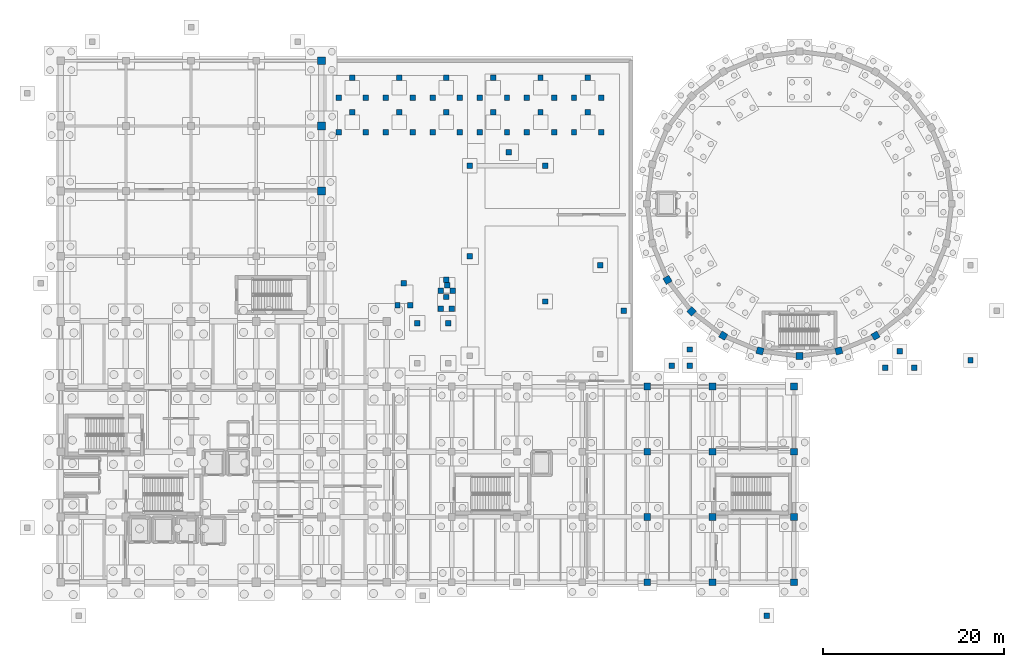
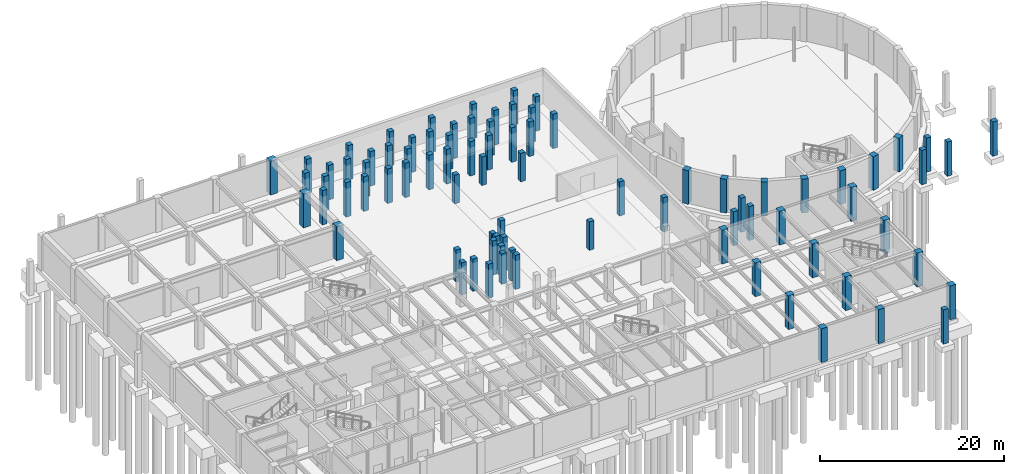
# One storey, part 7 of 26: 85 columns.
"""IFC4 building model written with IfcOpenShell, lengths in metres."""

from ifc_helpers import new_model, si_unit, direction, frame, origin, origin_2d, place, context, subcontext, project, spatial, rectangle, extrude, material, material_profile, profile_set, type_object, element, save


model = new_model("IFC4")

# Units and contexts
model_context = context("Model", 3, precision=1e-05, world=origin(), true_north=direction((0.0, 1.0)))
body_context = subcontext(model_context, "Body", "Model", "MODEL_VIEW")
ifc_project = project(units=[si_unit("LENGTHUNIT", "METRE"), si_unit("AREAUNIT", "SQUARE_METRE"), si_unit("VOLUMEUNIT", "CUBIC_METRE"), si_unit("PLANEANGLEUNIT", "RADIAN"), si_unit("MASSUNIT", "GRAM", prefix="KILO")], contexts=[model_context])

# Site, building, storey
site_placement = place(None, origin())
site = spatial("IfcSite", under=ifc_project, at=site_placement, CompositionType="ELEMENT")
building_placement = place(site_placement, origin())
building = spatial("IfcBuilding", under=site, at=building_placement, Name="Kandorven Conservatory and Botanical Research Centre", CompositionType="ELEMENT")
storey_placement = place(building_placement, frame((0.0, 0.0, -4.800048828125)))
storey = spatial("IfcBuildingStorey", under=building, at=storey_placement, Name="B01", CompositionType="ELEMENT", Elevation=-4.800048828125)

# Columns
ifc_material_1 = material(Name="Concrete C40/50 (M50)", Category="concrete")
ifc_material_profile_1 = material_profile(ifc_material_1, rectangle(XDim=0.75, YDim=0.75, at=origin_2d()))
ifc_profile_set_1 = profile_set([ifc_material_profile_1], Name="Concrete C40/50 (M50)")
column_type_1 = type_object("IfcColumnType", Name="Col_DC-01", PredefinedType="COLUMN", material=ifc_profile_set_1)
for number, where, z_axis, x_axis, name in (
    (1, (73.029052734375, 39.387451171875, 0.0), (0.0, 0.0, 1.0), (-0.866025403784, -0.5, 0.0), "Conservatory drum radial pier DC-01 B01 R15"),
    (2, (75.702880859375, 35.90283203125, 0.0), (0.0, 0.0, 1.0), (-0.707106781187, -0.707106781187, 0.0), "Conservatory drum radial pier DC-01 B01 R16"),
    (3, (79.1875, 33.22900390625, 0.0), (0.0, 0.0, 1.0), (-0.5, -0.866025403784, 0.0), "Conservatory drum radial pier DC-01 B01 R17"),
    (4, (83.245361328125, 31.54833984375, 0.0), (0.0, 0.0, 1.0), (-0.258819045103, -0.965925826289, 0.0), "Conservatory drum radial pier DC-01 B01 R18"),
    (5, (87.60009765625, 30.97509765625, 0.0), (0.0, 0.0, 1.0), (0.0, -1.0, 0.0), "Conservatory drum radial pier DC-01 B01 R19"),
    (6, (91.95458984375, 31.54833984375, 0.0), (0.0, 0.0, 1.0), (0.258819045103, -0.965925826289, 0.0), "Conservatory drum radial pier DC-01 B01 R20"),
    (7, (96.012451171875, 33.22900390625, 0.0), (0.0, 0.0, 1.0), (0.5, -0.866025403784, 0.0), "Conservatory drum radial pier DC-01 B01 R21"),
):
    element("IfcColumn", number, at=place(storey_placement, frame(where, z_axis=z_axis, x_axis=x_axis)), inside=storey, type_object=column_type_1, Name=name, PredefinedType="COLUMN", context=body_context, shape_type="SweptSolid", body=[
        extrude(rectangle(XDim=0.75, YDim=0.75, at=origin_2d()), origin(), (0.0, 0.0, 1.0), 4.47998046875),
    ])
ifc_material_2 = material(Name="Concrete C40/50 (M50)", Category="concrete")
ifc_material_profile_2 = material_profile(ifc_material_2, rectangle(XDim=0.85009765625, YDim=0.85009765625, at=origin_2d()))
ifc_profile_set_2 = profile_set([ifc_material_profile_2], Name="Concrete C40/50 (M50)")
column_type_2 = type_object("IfcColumnType", Name="Col_TC-02", PredefinedType="COLUMN", material=ifc_profile_set_2)
for number, where, z_axis, x_axis, name in (
    (8, (34.800048828125, 49.199951171875, 0.0), (0.0, 0.0, 1.0), (1.0, 0.0, 0.0), "Auditorium portal column TC-02 B01"),
    (9, (34.800048828125, 56.39990234375, 0.0), (0.0, 0.0, 1.0), (1.0, 0.0, 0.0), "Auditorium portal column TC-02 B01"),
    (10, (34.800048828125, 63.60009765625, 0.0), (0.0, 0.0, 1.0), (1.0, 0.0, 0.0), "Auditorium portal column TC-02 B01"),
):
    element("IfcColumn", number, at=place(storey_placement, frame(where, z_axis=z_axis, x_axis=x_axis)), inside=storey, type_object=column_type_2, Name=name, PredefinedType="COLUMN", context=body_context, shape_type="SweptSolid", body=[
        extrude(rectangle(XDim=0.85009765625, YDim=0.85009765625, at=origin_2d()), origin(), (0.0, 0.0, 1.0), 4.5),
    ])
ifc_material_3 = material(Name="Concrete C40/50 (M50)", Category="concrete")
ifc_material_profile_3 = material_profile(ifc_material_3, rectangle(XDim=0.75, YDim=0.75, at=origin_2d()))
ifc_profile_set_3 = profile_set([ifc_material_profile_3], Name="Concrete C40/50 (M50)")
column_type_3 = type_object("IfcColumnType", Name="Col_TC-03", PredefinedType="COLUMN", material=ifc_profile_set_3)
for number, where, z_axis, x_axis, name in (
    (11, (70.800048828125, 6.0, 0.0), (0.0, 0.0, 1.0), (1.0, 0.0, 0.0), "Column TC-03 VIS B01 (5,1)"),
    (12, (70.800048828125, 13.199951171875, 0.0), (0.0, 0.0, 1.0), (1.0, 0.0, 0.0), "Column TC-03 VIS B01 (5,2)"),
    (13, (70.800048828125, 20.39990234375, 0.0), (0.0, 0.0, 1.0), (1.0, 0.0, 0.0), "Column TC-03 VIS B01 (5,3)"),
    (14, (70.800048828125, 27.60009765625, 0.0), (0.0, 0.0, 1.0), (1.0, 0.0, 0.0), "Column TC-03 VIS B01 (5,4)"),
    (15, (78.0, 6.0, 0.0), (0.0, 0.0, 1.0), (1.0, 0.0, 0.0), "Column TC-03 VIS B01 (6,1)"),
    (16, (78.0, 13.199951171875, 0.0), (0.0, 0.0, 1.0), (1.0, 0.0, 0.0), "Column TC-03 VIS B01 (6,2)"),
    (17, (78.0, 20.39990234375, 0.0), (0.0, 0.0, 1.0), (1.0, 0.0, 0.0), "Column TC-03 VIS B01 (6,3)"),
    (18, (78.0, 27.60009765625, 0.0), (0.0, 0.0, 1.0), (1.0, 0.0, 0.0), "Column TC-03 VIS B01 (6,4)"),
    (19, (87.0, 6.0, 0.0), (0.0, 0.0, 1.0), (1.0, 0.0, 0.0), "Column TC-03 VIS B01 (7,1)"),
    (20, (87.0, 13.199951171875, 0.0), (0.0, 0.0, 1.0), (1.0, 0.0, 0.0), "Column TC-03 VIS B01 (7,2)"),
    (21, (87.0, 20.39990234375, 0.0), (0.0, 0.0, 1.0), (1.0, 0.0, 0.0), "Column TC-03 VIS B01 (7,3)"),
    (22, (87.0, 27.60009765625, 0.0), (0.0, 0.0, 1.0), (1.0, 0.0, 0.0), "Column TC-03 VIS B01 (7,4)"),
):
    element("IfcColumn", number, at=place(storey_placement, frame(where, z_axis=z_axis, x_axis=x_axis)), inside=storey, type_object=column_type_3, Name=name, PredefinedType="COLUMN", context=body_context, shape_type="SweptSolid", body=[
        extrude(rectangle(XDim=0.75, YDim=0.75, at=origin_2d()), origin(), (0.0, 0.0, 1.0), 4.5),
    ])
ifc_material_4 = material(Name="Concrete C40/50 (M50)", Category="concrete")
ifc_material_profile_4 = material_profile(ifc_material_4, rectangle(XDim=0.60009765625, YDim=0.60009765625, at=origin_2d()))
ifc_profile_set_4 = profile_set([ifc_material_profile_4], Name="Concrete C40/50 (M50)")
column_type_4 = type_object("IfcColumnType", Name="Col_TC-04", PredefinedType="COLUMN", material=ifc_profile_set_4)
for number, where, z_axis, x_axis, name in (
    (23, (51.199951171875, 42.0, 0.0), (0.0, 0.0, 1.0), (1.0, 0.0, 0.0), "Courtyard basin foundation pier TC-04 #2"),
    (24, (59.5, 37.0, 0.0), (0.0, 0.0, 1.0), (1.0, 0.0, 0.0), "Courtyard basin foundation pier TC-04 #3"),
    (25, (51.199951171875, 52.0, 0.0), (0.0, 0.0, 1.0), (1.0, 0.0, 0.0), "Courtyard basin foundation pier TC-04 #4"),
    (26, (55.5, 53.5, 0.0), (0.0, 0.0, 1.0), (1.0, 0.0, 0.0), "Courtyard basin foundation pier TC-04 #5"),
    (27, (59.5, 52.0, 0.0), (0.0, 0.0, 1.0), (1.0, 0.0, 0.0), "Courtyard basin foundation pier TC-04 #6"),
):
    element("IfcColumn", number, at=place(storey_placement, frame(where, z_axis=z_axis, x_axis=x_axis)), inside=storey, type_object=column_type_4, Name=name, PredefinedType="COLUMN", context=body_context, shape_type="SweptSolid", body=[
        extrude(rectangle(XDim=0.60009765625, YDim=0.60009765625, at=origin_2d()), origin(), (0.0, 0.0, 1.0), 3.800048828125),
    ])
for number, where, z_axis, x_axis, name in (
    (28, (43.199951171875, 36.60009765625, 0.0), (0.0, 0.0, 1.0), (1.0, 0.0, 0.0), "Courtyard ramp landing pier 1"),
    (29, (44.60009765625, 36.60009765625, 0.0), (0.0, 0.0, 1.0), (1.0, 0.0, 0.0), "Courtyard ramp landing pier 2"),
    (30, (43.89990234375, 39.0, 0.0), (0.0, 0.0, 1.0), (1.0, 0.0, 0.0), "Courtyard ramp landing pier 3"),
):
    element("IfcColumn", number, at=place(storey_placement, frame(where, z_axis=z_axis, x_axis=x_axis)), inside=storey, type_object=column_type_4, Name=name, PredefinedType="COLUMN", context=body_context, shape_type="SweptSolid", body=[
        extrude(rectangle(XDim=0.60009765625, YDim=0.60009765625, at=origin_2d()), origin(), (0.0, 0.0, 1.0), 4.300048828125),
    ])
for number, where, z_axis, x_axis, name in (
    (31, (45.39990234375, 34.60009765625, 0.0), (0.0, 0.0, 1.0), (1.0, 0.0, 0.0), "Courtyard plaza support pier 3"),
    (32, (48.800048828125, 34.60009765625, 0.0), (0.0, 0.0, 1.0), (1.0, 0.0, 0.0), "Courtyard plaza support pier 4"),
):
    element("IfcColumn", number, at=place(storey_placement, frame(where, z_axis=z_axis, x_axis=x_axis)), inside=storey, type_object=column_type_4, Name=name, PredefinedType="COLUMN", context=body_context, shape_type="SweptSolid", body=[
        extrude(rectangle(XDim=0.60009765625, YDim=0.60009765625, at=origin_2d()), origin(), (0.0, 0.0, 1.0), 4.550048828125),
    ])
for number, where, z_axis, x_axis, name in (
    (33, (48.0, 36.199951171875, 0.0), (0.0, 0.0, 1.0), (1.0, 0.0, 0.0), "Courtyard ramp lower landing pier 1"),
    (34, (49.199951171875, 36.199951171875, 0.0), (0.0, 0.0, 1.0), (1.0, 0.0, 0.0), "Courtyard ramp lower landing pier 2"),
    (35, (48.60009765625, 37.5, 0.0), (0.0, 0.0, 1.0), (1.0, 0.0, 0.0), "Courtyard ramp lower landing pier 3"),
):
    element("IfcColumn", number, at=place(storey_placement, frame(where, z_axis=z_axis, x_axis=x_axis)), inside=storey, type_object=column_type_4, Name=name, PredefinedType="COLUMN", context=body_context, shape_type="SweptSolid", body=[
        extrude(rectangle(XDim=0.60009765625, YDim=0.60009765625, at=origin_2d()), origin(), (0.0, 0.0, 1.0), 4.06005859375),
    ])
for number, where, z_axis, x_axis, name in (
    (36, (48.699951171875, 38.800048828125, 0.0), (0.0, 0.0, 1.0), (1.0, 0.0, 0.0), "Courtyard plaza north arrival pier"),
    (37, (48.0, 38.199951171875, 0.0), (0.0, 0.0, 1.0), (1.0, 0.0, 0.0), "Courtyard ramp upper arrival pier 1"),
    (38, (49.300048828125, 38.199951171875, 0.0), (0.0, 0.0, 1.0), (1.0, 0.0, 0.0), "Courtyard ramp upper arrival pier 2"),
    (39, (48.60009765625, 39.39990234375, 0.0), (0.0, 0.0, 1.0), (1.0, 0.0, 0.0), "Courtyard ramp upper arrival pier 3"),
):
    element("IfcColumn", number, at=place(storey_placement, frame(where, z_axis=z_axis, x_axis=x_axis)), inside=storey, type_object=column_type_4, Name=name, PredefinedType="COLUMN", context=body_context, shape_type="SweptSolid", body=[
        extrude(rectangle(XDim=0.60009765625, YDim=0.60009765625, at=origin_2d()), origin(), (0.0, 0.0, 1.0), 4.550048828125),
    ])
for number, where, z_axis, x_axis, name in (
    (40, (36.699951171875, 55.699951171875, 0.0), (0.0, 0.0, 1.0), (1.0, 0.0, 0.0), "Courtyard terrace support pier 01"),
    (41, (39.699951171875, 55.699951171875, 0.0), (0.0, 0.0, 1.0), (1.0, 0.0, 0.0), "Courtyard terrace support pier 01"),
    (42, (38.199951171875, 57.89990234375, 0.0), (0.0, 0.0, 1.0), (1.0, 0.0, 0.0), "Courtyard terrace support pier 01"),
    (43, (41.89990234375, 55.699951171875, 0.0), (0.0, 0.0, 1.0), (1.0, 0.0, 0.0), "Courtyard terrace support pier 02"),
    (44, (44.89990234375, 55.699951171875, 0.0), (0.0, 0.0, 1.0), (1.0, 0.0, 0.0), "Courtyard terrace support pier 02"),
    (45, (43.39990234375, 57.89990234375, 0.0), (0.0, 0.0, 1.0), (1.0, 0.0, 0.0), "Courtyard terrace support pier 02"),
    (46, (47.10009765625, 55.699951171875, 0.0), (0.0, 0.0, 1.0), (1.0, 0.0, 0.0), "Courtyard terrace support pier 03"),
    (47, (50.10009765625, 55.699951171875, 0.0), (0.0, 0.0, 1.0), (1.0, 0.0, 0.0), "Courtyard terrace support pier 03"),
    (48, (48.60009765625, 57.89990234375, 0.0), (0.0, 0.0, 1.0), (1.0, 0.0, 0.0), "Courtyard terrace support pier 03"),
    (49, (52.300048828125, 55.699951171875, 0.0), (0.0, 0.0, 1.0), (1.0, 0.0, 0.0), "Courtyard terrace support pier 04"),
    (50, (55.300048828125, 55.699951171875, 0.0), (0.0, 0.0, 1.0), (1.0, 0.0, 0.0), "Courtyard terrace support pier 04"),
    (51, (53.800048828125, 57.89990234375, 0.0), (0.0, 0.0, 1.0), (1.0, 0.0, 0.0), "Courtyard terrace support pier 04"),
    (52, (57.5, 55.699951171875, 0.0), (0.0, 0.0, 1.0), (1.0, 0.0, 0.0), "Courtyard terrace support pier 05"),
    (53, (60.5, 55.699951171875, 0.0), (0.0, 0.0, 1.0), (1.0, 0.0, 0.0), "Courtyard terrace support pier 05"),
    (54, (59.0, 57.89990234375, 0.0), (0.0, 0.0, 1.0), (1.0, 0.0, 0.0), "Courtyard terrace support pier 05"),
    (55, (62.699951171875, 55.699951171875, 0.0), (0.0, 0.0, 1.0), (1.0, 0.0, 0.0), "Courtyard terrace support pier 06"),
    (56, (65.699951171875, 55.699951171875, 0.0), (0.0, 0.0, 1.0), (1.0, 0.0, 0.0), "Courtyard terrace support pier 06"),
    (57, (64.199951171875, 57.89990234375, 0.0), (0.0, 0.0, 1.0), (1.0, 0.0, 0.0), "Courtyard terrace support pier 06"),
    (58, (36.699951171875, 59.5, 0.0), (0.0, 0.0, 1.0), (1.0, 0.0, 0.0), "Courtyard terrace support pier 07"),
    (59, (39.699951171875, 59.5, 0.0), (0.0, 0.0, 1.0), (1.0, 0.0, 0.0), "Courtyard terrace support pier 07"),
    (60, (38.199951171875, 61.699951171875, 0.0), (0.0, 0.0, 1.0), (1.0, 0.0, 0.0), "Courtyard terrace support pier 07"),
    (61, (41.89990234375, 59.5, 0.0), (0.0, 0.0, 1.0), (1.0, 0.0, 0.0), "Courtyard terrace support pier 08"),
    (62, (44.89990234375, 59.5, 0.0), (0.0, 0.0, 1.0), (1.0, 0.0, 0.0), "Courtyard terrace support pier 08"),
    (63, (43.39990234375, 61.699951171875, 0.0), (0.0, 0.0, 1.0), (1.0, 0.0, 0.0), "Courtyard terrace support pier 08"),
    (64, (47.10009765625, 59.5, 0.0), (0.0, 0.0, 1.0), (1.0, 0.0, 0.0), "Courtyard terrace support pier 09"),
    (65, (50.10009765625, 59.5, 0.0), (0.0, 0.0, 1.0), (1.0, 0.0, 0.0), "Courtyard terrace support pier 09"),
    (66, (48.60009765625, 61.699951171875, 0.0), (0.0, 0.0, 1.0), (1.0, 0.0, 0.0), "Courtyard terrace support pier 09"),
    (67, (52.300048828125, 59.5, 0.0), (0.0, 0.0, 1.0), (1.0, 0.0, 0.0), "Courtyard terrace support pier 10"),
    (68, (55.300048828125, 59.5, 0.0), (0.0, 0.0, 1.0), (1.0, 0.0, 0.0), "Courtyard terrace support pier 10"),
    (69, (53.800048828125, 61.699951171875, 0.0), (0.0, 0.0, 1.0), (1.0, 0.0, 0.0), "Courtyard terrace support pier 10"),
    (70, (57.5, 59.5, 0.0), (0.0, 0.0, 1.0), (1.0, 0.0, 0.0), "Courtyard terrace support pier 11"),
    (71, (60.5, 59.5, 0.0), (0.0, 0.0, 1.0), (1.0, 0.0, 0.0), "Courtyard terrace support pier 11"),
    (72, (59.0, 61.699951171875, 0.0), (0.0, 0.0, 1.0), (1.0, 0.0, 0.0), "Courtyard terrace support pier 11"),
    (73, (62.699951171875, 59.5, 0.0), (0.0, 0.0, 1.0), (1.0, 0.0, 0.0), "Courtyard terrace support pier 12"),
    (74, (65.699951171875, 59.5, 0.0), (0.0, 0.0, 1.0), (1.0, 0.0, 0.0), "Courtyard terrace support pier 12"),
    (75, (64.199951171875, 61.699951171875, 0.0), (0.0, 0.0, 1.0), (1.0, 0.0, 0.0), "Courtyard terrace support pier 12"),
):
    element("IfcColumn", number, at=place(storey_placement, frame(where, z_axis=z_axis, x_axis=x_axis)), inside=storey, type_object=column_type_4, Name=name, PredefinedType="COLUMN", context=body_context, shape_type="SweptSolid", body=[
        extrude(rectangle(XDim=0.60009765625, YDim=0.60009765625, at=origin_2d()), origin(), (0.0, 0.0, 1.0), 4.60009765625),
    ])
for number, where, z_axis, x_axis, name in (
    (76, (84.0, 2.300048828125, 0.0), (0.0, 0.0, 1.0), (1.0, 0.0, 0.0), "Grade apron support pier SLAB-EXT-SOUTH-PLAZA-3"),
    (77, (68.199951171875, 36.0, 0.0), (0.0, 0.0, 1.0), (1.0, 0.0, 0.0), "Grade apron support pier SLAB-EXT-EAST-COURT-2"),
    (78, (65.60009765625, 41.0, 0.0), (0.0, 0.0, 1.0), (1.0, 0.0, 0.0), "Grade apron support pier SLAB-EXT-EAST-COURT-3"),
    (79, (106.5, 30.5, 0.0), (0.0, 0.0, 1.0), (1.0, 0.0, 0.0), "Grade apron support pier SLAB-EXT-SE-COURT-1"),
    (80, (73.5, 29.89990234375, 0.0), (0.0, 0.0, 1.0), (1.0, 0.0, 0.0), "Grade apron support pier SLAB-EXT-CON-SW-PAD-1"),
    (81, (75.5, 29.89990234375, 0.0), (0.0, 0.0, 1.0), (1.0, 0.0, 0.0), "Grade apron support pier SLAB-EXT-CON-SW-PAD-2"),
    (82, (75.5, 31.699951171875, 0.0), (0.0, 0.0, 1.0), (1.0, 0.0, 0.0), "Grade apron support pier SLAB-EXT-CON-SW-PAD-3"),
    (83, (97.10009765625, 29.699951171875, 0.0), (0.0, 0.0, 1.0), (1.0, 0.0, 0.0), "Grade apron support pier SLAB-EXT-CON-SE-PAD-1"),
    (84, (100.300048828125, 29.699951171875, 0.0), (0.0, 0.0, 1.0), (1.0, 0.0, 0.0), "Grade apron support pier SLAB-EXT-CON-SE-PAD-2"),
    (85, (98.699951171875, 31.5, 0.0), (0.0, 0.0, 1.0), (1.0, 0.0, 0.0), "Grade apron support pier SLAB-EXT-CON-SE-PAD-3"),
):
    element("IfcColumn", number, at=place(storey_placement, frame(where, z_axis=z_axis, x_axis=x_axis)), inside=storey, type_object=column_type_4, Name=name, PredefinedType="COLUMN", context=body_context, shape_type="SweptSolid", body=[
        extrude(rectangle(XDim=0.60009765625, YDim=0.60009765625, at=origin_2d()), origin(), (0.0, 0.0, 1.0), 4.550048828125),
    ])

save(model, "model.ifc")
